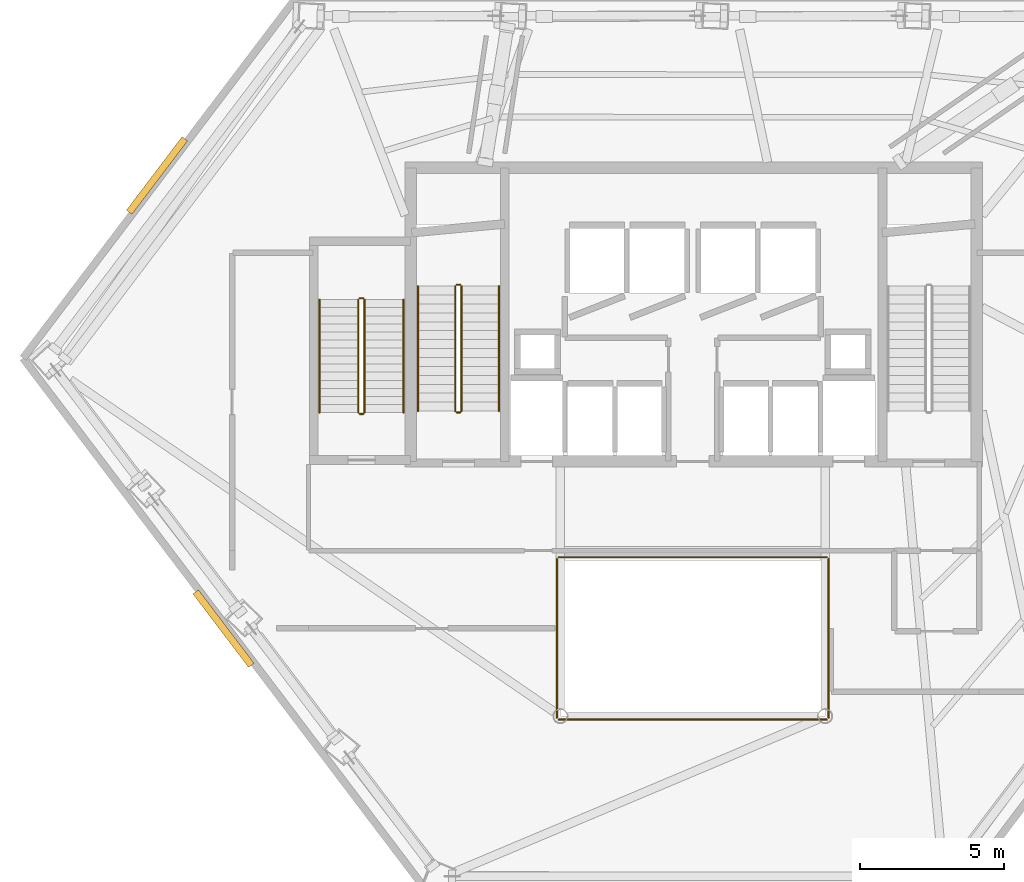
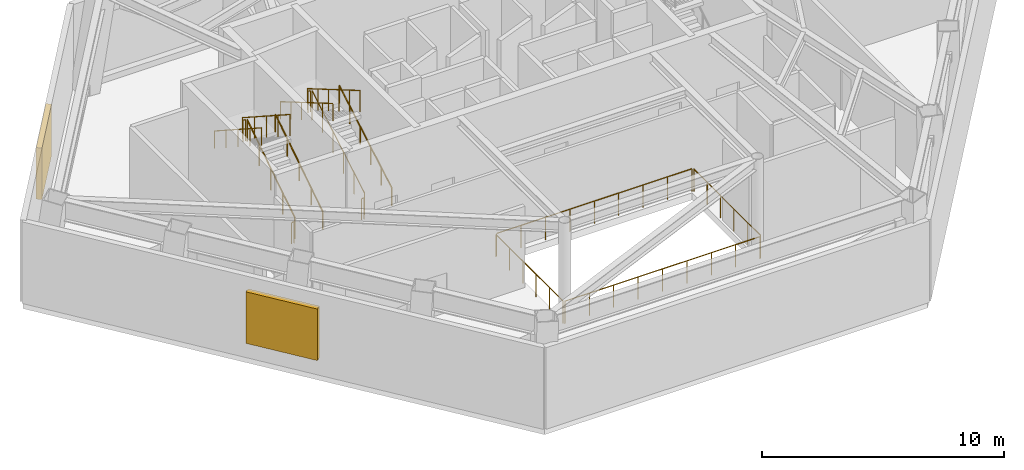
# One storey, part 8 of 9: 16 railings, 2 shading devices.
"""IFC4 building model written with IfcOpenShell, lengths in metres."""

import ifcopenshell
import ifcopenshell.guid

model = None  # the IFC model being written
_history = None  # IfcOwnerHistory: only IFC2X3 demands one
_inside = {}  # id of a spatial element -> (the spatial element, [elements in it])
_under = {}  # id of a project, library or spatial element -> (it, [spatial elements below it])
_declared = {}  # id of a project -> (the project, [libraries it declares])
_typed = {}  # id of a type object -> (the type object, [elements of that type])
_made_of = {}  # id of a material, layer set ... -> (it, [elements and type objects made of it])


def new_model(schema):
    """Start an empty IFC model of exactly this schema.

    Asked for "IFC4X3", IfcOpenShell would pick the latest addendum, in which some entities
    have other attributes; the version numbers below select the first issue.
    IFC2X3 requires an IfcOwnerHistory on every rooted entity: one is made here for all.
    """
    global model, _history
    if schema == "IFC4X3":
        model = ifcopenshell.file(schema_version=(4, 3, 0, 0))
    else:
        model = ifcopenshell.file(schema=schema)
    _inside.clear()
    _under.clear()
    _declared.clear()
    _typed.clear()
    _made_of.clear()
    _history = None
    if model.schema == "IFC2X3":
        org = make("IfcOrganization", Name="unknown")
        user = make(
            "IfcPersonAndOrganization",
            ThePerson=make("IfcPerson", FamilyName="unknown"),
            TheOrganization=org,
        )
        app = make(
            "IfcApplication",
            ApplicationDeveloper=org,
            Version="unknown",
            ApplicationFullName="unknown",
            ApplicationIdentifier="unknown",
        )
        _history = make(
            "IfcOwnerHistory",
            OwningUser=user,
            OwningApplication=app,
            ChangeAction="ADDED",
            CreationDate=0,
        )
    return model


def make(cls, **values):
    """One entity of the class cls with the attributes given. An attribute that is None is left unset."""
    return model.create_entity(
        cls, **{name: value for name, value in values.items() if value is not None}
    )


def rooted(cls, **values):
    """An entity with a GlobalId (a new one), such as an element, a storey or a relation."""
    return make(cls, GlobalId=ifcopenshell.guid.new(), OwnerHistory=_history, **values)


def si_unit(unit_type, name, prefix=None):
    """IfcSIUnit, for example si_unit("LENGTHUNIT", "METRE", prefix="MILLI")."""
    return make("IfcSIUnit", UnitType=unit_type, Prefix=prefix, Name=name)


def assignment(units):
    """IfcUnitAssignment: the units of a project."""
    return None if units is None else make("IfcUnitAssignment", Units=units)


def point(xyz):
    """IfcCartesianPoint."""
    return None if xyz is None else make("IfcCartesianPoint", Coordinates=xyz)


def direction(xyz):
    """IfcDirection."""
    return None if xyz is None else make("IfcDirection", DirectionRatios=xyz)


def frame(location, z_axis=None, x_axis=None):
    """IfcAxis2Placement3D, a coordinate frame: its origin and axes. An axis left out is left unset."""
    return make(
        "IfcAxis2Placement3D",
        Location=point(location),
        Axis=direction(z_axis),
        RefDirection=direction(x_axis),
    )


def frame_2d(location, x_axis=None):
    """IfcAxis2Placement2D, a coordinate frame in the plane: its origin and x axis."""
    return make(
        "IfcAxis2Placement2D", Location=point(location), RefDirection=direction(x_axis)
    )


def origin():
    """The frame at (0, 0, 0) with its axes left unset."""
    return frame((0.0, 0.0, 0.0))


def origin_2d():
    """The frame at (0, 0) in the plane with its x axis left unset."""
    return frame_2d((0.0, 0.0))


def place(relative_to, where):
    """IfcLocalPlacement: puts the frame where relative to a parent placement (None: the world)."""
    return make(
        "IfcLocalPlacement", PlacementRelTo=relative_to, RelativePlacement=where
    )


def context(
    kind, dimensions, precision=None, world=None, true_north=None, identifier=None
):
    """IfcGeometricRepresentationContext, for example the 3D "Model" context."""
    return make(
        "IfcGeometricRepresentationContext",
        ContextIdentifier=identifier,
        ContextType=kind,
        CoordinateSpaceDimension=dimensions,
        Precision=precision,
        WorldCoordinateSystem=world,
        TrueNorth=true_north,
    )


def subcontext(parent, identifier, kind, view, scale=None):
    """IfcGeometricRepresentationSubContext, for example "Body" below "Model"."""
    return make(
        "IfcGeometricRepresentationSubContext",
        ContextIdentifier=identifier,
        ContextType=kind,
        ParentContext=parent,
        TargetScale=scale,
        TargetView=view,
    )


def project(units=None, contexts=None):
    """IfcProject with its units and contexts."""
    return rooted(
        "IfcProject",
        Name="project",
        RepresentationContexts=contexts,
        UnitsInContext=assignment(units),
    )


def spatial(cls, under=None, at=None, **own):
    """A site, building, storey or space (cls), placed at a placement, below another one or the project."""
    s = rooted(cls, ObjectPlacement=at, **own)
    if under is not None:
        _under.setdefault(under.id(), (under, []))[1].append(s)
    return s


def profile(cls, at=None, kind="AREA", **sizes):
    """A parametric profile (cls). Its sizes go by their IFC names, for example OverallWidth=200.0."""
    return make(cls, ProfileType=kind, Position=at, **sizes)


def rectangle(**sizes):
    """IfcRectangleProfileDef."""
    return profile("IfcRectangleProfileDef", **sizes)


def circle(**sizes):
    """IfcCircleProfileDef."""
    return profile("IfcCircleProfileDef", **sizes)


def extrude(swept, where, along, depth):
    """IfcExtrudedAreaSolid: the profile swept, set in the frame where, extruded along a direction by depth."""
    return make(
        "IfcExtrudedAreaSolid",
        SweptArea=swept,
        Position=where,
        ExtrudedDirection=direction(along),
        Depth=depth,
    )


def shape(context_of_items, identifier, shape_type, items):
    """IfcShapeRepresentation: the items that make up one representation, for example the "Body"."""
    return make(
        "IfcShapeRepresentation",
        ContextOfItems=context_of_items,
        RepresentationIdentifier=identifier,
        RepresentationType=shape_type,
        Items=items,
    )


def material(Name=None, Category=None):
    """IfcMaterial."""
    return make("IfcMaterial", Name=Name, Category=Category)


def made_of(thing, what):
    """Note that an element or type object is made of a material, layer set ...; save() writes the relation."""
    if what is not None:
        _made_of.setdefault(what.id(), (what, []))[1].append(thing)
    return thing


def type_object(cls, material=None, **own):
    """A type object (cls), such as IfcWallType, which elements share."""
    return made_of(rooted(cls, **own), material)


def element(
    cls,
    number,
    at=None,
    inside=None,
    cuts=None,
    type_object=None,
    material=None,
    context=None,
    identifier="Body",
    shape_type=None,
    held_by="IfcProductDefinitionShape",
    body=None,
    shapes=None,
    **own,
):
    """One element of the class cls, such as IfcWall. Its Tag is "e" and its number.

    at: its placement. inside: the storey or other place that contains it. cuts: it is an
    opening in that element (IfcRelVoidsElement). A single representation is given by context,
    identifier, shape_type and body (its items); several are given by shapes. held_by: the class
    of the entity that holds the representations. save() writes the other relations.
    """
    e = rooted(cls, Tag="e%d" % number, ObjectPlacement=at, **own)
    if body is not None:
        shapes = [shape(context, identifier, shape_type, body)]
    if shapes is not None:
        e.Representation = make(held_by, Representations=shapes)
    if inside is not None:
        _inside.setdefault(inside.id(), (inside, []))[1].append(e)
    if cuts is not None:
        rooted(
            "IfcRelVoidsElement", RelatingBuildingElement=cuts, RelatedOpeningElement=e
        )
    if type_object is not None:
        _typed.setdefault(type_object.id(), (type_object, []))[1].append(e)
    return made_of(e, material)


def aggregate(whole, parts):
    """IfcRelAggregates: a whole, such as a stair, and the parts it consists of."""
    return rooted("IfcRelAggregates", RelatingObject=whole, RelatedObjects=parts)


def save(model, path):
    """Write the relations noted so far, then the file.

    IfcRelAggregates (storeys below a building ...), IfcRelContainedInSpatialStructure (elements
    in a storey), IfcRelDefinesByType, IfcRelAssociatesMaterial and IfcRelDeclares: one each for
    every whole, place, type object, material and project.
    """
    for whole, parts in _under.values():
        aggregate(whole, parts)
    for where, things in _inside.values():
        rooted(
            "IfcRelContainedInSpatialStructure",
            RelatedElements=things,
            RelatingStructure=where,
        )
    for kind, things in _typed.values():
        rooted("IfcRelDefinesByType", RelatedObjects=things, RelatingType=kind)
    for what, things in _made_of.values():
        rooted("IfcRelAssociatesMaterial", RelatedObjects=things, RelatingMaterial=what)
    for by, libraries in _declared.values():
        rooted("IfcRelDeclares", RelatingContext=by, RelatedDefinitions=libraries)
    model.write(path)


model = new_model("IFC4")

# Units and contexts
model_context = context("Model", 3, precision=1e-05, world=origin(), true_north=direction((0.0, 1.0)))
body_context = subcontext(model_context, "Body", "Model", "MODEL_VIEW")
ifc_project = project(units=[si_unit("LENGTHUNIT", "METRE"), si_unit("AREAUNIT", "SQUARE_METRE"), si_unit("VOLUMEUNIT", "CUBIC_METRE"), si_unit("PLANEANGLEUNIT", "RADIAN"), si_unit("MASSUNIT", "GRAM", prefix="KILO")], contexts=[model_context])

# Site, building, storey
site_placement = place(None, origin())
site = spatial("IfcSite", under=ifc_project, at=site_placement, CompositionType="ELEMENT")
building_placement = place(site_placement, origin())
building = spatial("IfcBuilding", under=site, at=building_placement, Name="Zarrinselat Tower", CompositionType="ELEMENT")
storey_placement = place(building_placement, frame((0.0, 0.0, 109.139892578125)))
storey = spatial("IfcBuildingStorey", under=building, at=storey_placement, Name="L26", CompositionType="ELEMENT", Elevation=109.139892578125)

# Railings
ifc_material_1 = material(Name="Double Low-E Laminated Solar Glass", Category="glass")
railing_type_1 = type_object("IfcRailingType", Name="RLG-ATRIUM-BAL", PredefinedType="BALUSTRADE", material=ifc_material_1)
railing_1_placement = place(storey_placement, frame((33.739990234375, 24.280029296875, 0.0)))
element("IfcRailing", 1, at=railing_1_placement, inside=storey, type_object=railing_type_1, Name="L26 Atrium Void Glass Balustrade S", PredefinedType="BALUSTRADE", context=body_context, shape_type="SweptSolid", body=[
    extrude(circle(Radius=0.02392578125, at=origin_2d()), frame((0.0, 0.0, 1.1259765625), z_axis=(1.0, 0.0, 0.0), x_axis=(0.0, 1.0, 0.0)), (0.0, 0.0, 1.0), 9.320068359375),
    extrude(circle(Radius=0.02099609375, at=origin_2d()), origin(), (0.0, 0.0, 1.0), 1.099853515625),
    extrude(circle(Radius=0.02099609375, at=origin_2d()), frame((1.1650390625, 0.0, 0.0)), (0.0, 0.0, 1.0), 1.099853515625),
    extrude(circle(Radius=0.02099609375, at=origin_2d()), frame((2.330078125, 0.0, 0.0)), (0.0, 0.0, 1.0), 1.099853515625),
    extrude(circle(Radius=0.02099609375, at=origin_2d()), frame((3.4951171875, 0.0, 0.0)), (0.0, 0.0, 1.0), 1.099853515625),
    extrude(circle(Radius=0.02099609375, at=origin_2d()), frame((4.66015625, 0.0, 0.0)), (0.0, 0.0, 1.0), 1.099853515625),
    extrude(circle(Radius=0.02099609375, at=origin_2d()), frame((5.824951171875, 0.0, 0.0)), (0.0, 0.0, 1.0), 1.099853515625),
    extrude(circle(Radius=0.02099609375, at=origin_2d()), frame((6.989990234375, 0.0, 0.0)), (0.0, 0.0, 1.0), 1.099853515625),
    extrude(circle(Radius=0.02099609375, at=origin_2d()), frame((8.155029296875, 0.0, 0.0)), (0.0, 0.0, 1.0), 1.099853515625),
    extrude(circle(Radius=0.02099609375, at=origin_2d()), frame((9.320068359375, 0.0, 0.0)), (0.0, 0.0, 1.0), 1.099853515625),
])
railing_2_placement = place(storey_placement, frame((43.1201171875, 24.340087890625, 0.0)))
element("IfcRailing", 2, at=railing_2_placement, inside=storey, type_object=railing_type_1, Name="L26 Atrium Void Glass Balustrade E", PredefinedType="BALUSTRADE", context=body_context, shape_type="SweptSolid", body=[
    extrude(circle(Radius=0.02392578125, at=origin_2d()), frame((0.0, 0.0, 1.1259765625), z_axis=(0.0, 1.0, 0.0), x_axis=(-1.0, 0.0, 0.0)), (0.0, 0.0, 1.0), 5.52001953125),
    extrude(circle(Radius=0.02099609375, at=origin_2d()), origin(), (0.0, 0.0, 1.0), 1.099853515625),
    extrude(circle(Radius=0.02099609375, at=origin_2d()), frame((0.0, 1.10400390625, 0.0)), (0.0, 0.0, 1.0), 1.099853515625),
    extrude(circle(Radius=0.02099609375, at=origin_2d()), frame((0.0, 2.2080078125, 0.0)), (0.0, 0.0, 1.0), 1.099853515625),
    extrude(circle(Radius=0.02099609375, at=origin_2d()), frame((0.0, 3.31201171875, 0.0)), (0.0, 0.0, 1.0), 1.099853515625),
    extrude(circle(Radius=0.02099609375, at=origin_2d()), frame((0.0, 4.416015625, 0.0)), (0.0, 0.0, 1.0), 1.099853515625),
    extrude(circle(Radius=0.02099609375, at=origin_2d()), frame((0.0, 5.52001953125, 0.0)), (0.0, 0.0, 1.0), 1.099853515625),
])
railing_3_placement = place(storey_placement, frame((43.06005859375, 29.919921875, 0.0)))
element("IfcRailing", 3, at=railing_3_placement, inside=storey, type_object=railing_type_1, Name="L26 Atrium Void Glass Balustrade N", PredefinedType="BALUSTRADE", context=body_context, shape_type="SweptSolid", body=[
    extrude(circle(Radius=0.02392578125, at=origin_2d()), frame((0.0, 0.0, 1.1259765625), z_axis=(-1.0, 0.0, 0.0), x_axis=(0.0, -1.0, 0.0)), (0.0, 0.0, 1.0), 9.320068359375),
    extrude(circle(Radius=0.02099609375, at=origin_2d()), origin(), (0.0, 0.0, 1.0), 1.099853515625),
    extrude(circle(Radius=0.02099609375, at=origin_2d()), frame((-1.1650390625, 0.0, 0.0)), (0.0, 0.0, 1.0), 1.099853515625),
    extrude(circle(Radius=0.02099609375, at=origin_2d()), frame((-2.330078125, 0.0, 0.0)), (0.0, 0.0, 1.0), 1.099853515625),
    extrude(circle(Radius=0.02099609375, at=origin_2d()), frame((-3.4951171875, 0.0, 0.0)), (0.0, 0.0, 1.0), 1.099853515625),
    extrude(circle(Radius=0.02099609375, at=origin_2d()), frame((-4.66015625, 0.0, 0.0)), (0.0, 0.0, 1.0), 1.099853515625),
    extrude(circle(Radius=0.02099609375, at=origin_2d()), frame((-5.824951171875, 0.0, 0.0)), (0.0, 0.0, 1.0), 1.099853515625),
    extrude(circle(Radius=0.02099609375, at=origin_2d()), frame((-6.989990234375, 0.0, 0.0)), (0.0, 0.0, 1.0), 1.099853515625),
    extrude(circle(Radius=0.02099609375, at=origin_2d()), frame((-8.155029296875, 0.0, 0.0)), (0.0, 0.0, 1.0), 1.099853515625),
    extrude(circle(Radius=0.02099609375, at=origin_2d()), frame((-9.320068359375, 0.0, 0.0)), (0.0, 0.0, 1.0), 1.099853515625),
])
railing_4_placement = place(storey_placement, frame((33.679931640625, 29.860107421875, 0.0)))
element("IfcRailing", 4, at=railing_4_placement, inside=storey, type_object=railing_type_1, Name="L26 Atrium Void Glass Balustrade W", PredefinedType="BALUSTRADE", context=body_context, shape_type="SweptSolid", body=[
    extrude(circle(Radius=0.02392578125, at=origin_2d()), frame((0.0, 0.0, 1.1259765625), z_axis=(0.0, -1.0, 0.0), x_axis=(1.0, 0.0, 0.0)), (0.0, 0.0, 1.0), 5.52001953125),
    extrude(circle(Radius=0.02099609375, at=origin_2d()), origin(), (0.0, 0.0, 1.0), 1.099853515625),
    extrude(circle(Radius=0.02099609375, at=origin_2d()), frame((0.0, -1.10400390625, 0.0)), (0.0, 0.0, 1.0), 1.099853515625),
    extrude(circle(Radius=0.02099609375, at=origin_2d()), frame((0.0, -2.2080078125, 0.0)), (0.0, 0.0, 1.0), 1.099853515625),
    extrude(circle(Radius=0.02099609375, at=origin_2d()), frame((0.0, -3.31201171875, 0.0)), (0.0, 0.0, 1.0), 1.099853515625),
    extrude(circle(Radius=0.02099609375, at=origin_2d()), frame((0.0, -4.416015625, 0.0)), (0.0, 0.0, 1.0), 1.099853515625),
    extrude(circle(Radius=0.02099609375, at=origin_2d()), frame((0.0, -5.52001953125, 0.0)), (0.0, 0.0, 1.0), 1.099853515625),
])
ifc_material_2 = material(Name="Steel S355J2", Category="steel")
railing_type_2 = type_object("IfcRailingType", Name="RLG-STAIR-GUARD", PredefinedType="GUARDRAIL", material=ifc_material_2)
railing_5_placement = place(storey_placement, frame((30.3701171875, 35.0, 0.181396484375)))
element("IfcRailing", 5, at=railing_5_placement, inside=storey, type_object=railing_type_2, Name="L26 ST-1 stair guard 1", PredefinedType="GUARDRAIL", context=body_context, shape_type="SweptSolid", body=[
    extrude(circle(Radius=0.02392578125, at=origin_2d()), frame((0.0, 0.0, 1.076171875), z_axis=(0.0, 0.863163646601, 0.504924270744), x_axis=(-1.0, 0.0, 0.0)), (0.0, 0.0, 1.0), 5.028076171875),
    extrude(circle(Radius=0.02099609375, at=origin_2d()), origin(), (0.0, 0.0, 1.0), 1.050048828125),
    extrude(circle(Radius=0.02099609375, at=origin_2d()), frame((0.0, 0.867919921875, 0.5078125)), (0.0, 0.0, 1.0), 1.050048828125),
    extrude(circle(Radius=0.02099609375, at=origin_2d()), frame((0.0, 1.736083984375, 1.015625)), (0.0, 0.0, 1.0), 1.050048828125),
    extrude(circle(Radius=0.02099609375, at=origin_2d()), frame((0.0, 2.60400390625, 1.523193359375)), (0.0, 0.0, 1.0), 1.050048828125),
    extrude(circle(Radius=0.02099609375, at=origin_2d()), frame((0.0, 3.47216796875, 2.031005859375)), (0.0, 0.0, 1.0), 1.050048828125),
    extrude(circle(Radius=0.02099609375, at=origin_2d()), frame((0.0, 4.340087890625, 2.538818359375)), (0.0, 0.0, 1.0), 1.050048828125),
])
railing_6_placement = place(storey_placement, frame((30.320068359375, 39.389892578125, 2.72021484375)))
element("IfcRailing", 6, at=railing_6_placement, inside=storey, type_object=railing_type_2, Name="L26 ST-1 stair guard 2", PredefinedType="GUARDRAIL", context=body_context, shape_type="SweptSolid", body=[
    extrude(circle(Radius=0.02392578125, at=origin_2d()), frame((0.0, 0.0, 1.076171875), z_axis=(-1.0, 0.0, 0.0), x_axis=(0.0, -1.0, 0.0)), (0.0, 0.0, 1.0), 0.1201171875),
    extrude(circle(Radius=0.02099609375, at=origin_2d()), origin(), (0.0, 0.0, 1.0), 1.050048828125),
    extrude(circle(Radius=0.02099609375, at=origin_2d()), frame((-0.1201171875, 0.0, 0.0)), (0.0, 0.0, 1.0), 1.050048828125),
])
railing_7_placement = place(storey_placement, frame((30.14990234375, 39.340087890625, 2.9013671875)))
element("IfcRailing", 7, at=railing_7_placement, inside=storey, type_object=railing_type_2, Name="L26 ST-1 stair guard 3", PredefinedType="GUARDRAIL", context=body_context, shape_type="SweptSolid", body=[
    extrude(circle(Radius=0.02392578125, at=origin_2d()), frame((0.0, 0.0, 1.076171875), z_axis=(0.0, -0.863163646601, 0.504924270744), x_axis=(1.0, 0.0, 0.0)), (0.0, 0.0, 1.0), 5.028076171875),
    extrude(circle(Radius=0.02099609375, at=origin_2d()), origin(), (0.0, 0.0, 1.0), 1.050048828125),
    extrude(circle(Radius=0.02099609375, at=origin_2d()), frame((0.0, -0.867919921875, 0.5078125)), (0.0, 0.0, 1.0), 1.050048828125),
    extrude(circle(Radius=0.02099609375, at=origin_2d()), frame((0.0, -1.736083984375, 1.015625)), (0.0, 0.0, 1.0), 1.050048828125),
    extrude(circle(Radius=0.02099609375, at=origin_2d()), frame((0.0, -2.60400390625, 1.523193359375)), (0.0, 0.0, 1.0), 1.050048828125),
    extrude(circle(Radius=0.02099609375, at=origin_2d()), frame((0.0, -3.47216796875, 2.031005859375)), (0.0, 0.0, 1.0), 1.050048828125),
    extrude(circle(Radius=0.02099609375, at=origin_2d()), frame((0.0, -4.340087890625, 2.538818359375)), (0.0, 0.0, 1.0), 1.050048828125),
])
railing_8_placement = place(storey_placement, frame((30.320068359375, 34.949951171875, 0.0)))
element("IfcRailing", 8, at=railing_8_placement, inside=storey, type_object=railing_type_2, Name="L26 ST-1 stair guard 4", PredefinedType="GUARDRAIL", context=body_context, shape_type="SweptSolid", body=[
    extrude(circle(Radius=0.02392578125, at=origin_2d()), frame((0.0, 0.0, 1.076171875), z_axis=(-1.0, 0.0, 0.0), x_axis=(0.0, -1.0, 0.0)), (0.0, 0.0, 1.0), 0.1201171875),
    extrude(circle(Radius=0.02099609375, at=origin_2d()), origin(), (0.0, 0.0, 1.0), 1.050048828125),
    extrude(circle(Radius=0.02099609375, at=origin_2d()), frame((-0.1201171875, 0.0, 0.0)), (0.0, 0.0, 1.0), 1.050048828125),
])
railing_9_placement = place(storey_placement, frame((27.0, 34.949951171875, 0.181396484375)))
element("IfcRailing", 9, at=railing_9_placement, inside=storey, type_object=railing_type_2, Name="L26 ST-3 stair guard 1", PredefinedType="GUARDRAIL", context=body_context, shape_type="SweptSolid", body=[
    extrude(circle(Radius=0.02392578125, at=origin_2d()), frame((0.0, 0.0, 1.076171875), z_axis=(0.0, 0.839351306462, 0.543589352675), x_axis=(-1.0, 0.0, 0.0)), (0.0, 0.0, 1.0), 4.67041015625),
    extrude(circle(Radius=0.02099609375, at=origin_2d()), origin(), (0.0, 0.0, 1.0), 1.050048828125),
    extrude(circle(Radius=0.02099609375, at=origin_2d()), frame((0.0, 0.97998046875, 0.634765625)), (0.0, 0.0, 1.0), 1.050048828125),
    extrude(circle(Radius=0.02099609375, at=origin_2d()), frame((0.0, 1.9599609375, 1.26953125)), (0.0, 0.0, 1.0), 1.050048828125),
    extrude(circle(Radius=0.02099609375, at=origin_2d()), frame((0.0, 2.940185546875, 1.904052734375)), (0.0, 0.0, 1.0), 1.050048828125),
    extrude(circle(Radius=0.02099609375, at=origin_2d()), frame((0.0, 3.920166015625, 2.538818359375)), (0.0, 0.0, 1.0), 1.050048828125),
])
railing_10_placement = place(storey_placement, frame((26.949951171875, 38.919921875, 2.72021484375)))
element("IfcRailing", 10, at=railing_10_placement, inside=storey, type_object=railing_type_2, Name="L26 ST-3 stair guard 2", PredefinedType="GUARDRAIL", context=body_context, shape_type="SweptSolid", body=[
    extrude(circle(Radius=0.02392578125, at=origin_2d()), frame((0.0, 0.0, 1.076171875), z_axis=(-1.0, 0.0, 0.0), x_axis=(0.0, -1.0, 0.0)), (0.0, 0.0, 1.0), 0.119873046875),
    extrude(circle(Radius=0.02099609375, at=origin_2d()), origin(), (0.0, 0.0, 1.0), 1.050048828125),
    extrude(circle(Radius=0.02099609375, at=origin_2d()), frame((-0.119873046875, 0.0, 0.0)), (0.0, 0.0, 1.0), 1.050048828125),
])
railing_11_placement = place(storey_placement, frame((26.780029296875, 38.8701171875, 2.9013671875)))
element("IfcRailing", 11, at=railing_11_placement, inside=storey, type_object=railing_type_2, Name="L26 ST-3 stair guard 3", PredefinedType="GUARDRAIL", context=body_context, shape_type="SweptSolid", body=[
    extrude(circle(Radius=0.02392578125, at=origin_2d()), frame((0.0, 0.0, 1.076171875), z_axis=(0.0, -0.839351306462, 0.543589352675), x_axis=(1.0, 0.0, 0.0)), (0.0, 0.0, 1.0), 4.67041015625),
    extrude(circle(Radius=0.02099609375, at=origin_2d()), origin(), (0.0, 0.0, 1.0), 1.050048828125),
    extrude(circle(Radius=0.02099609375, at=origin_2d()), frame((0.0, -0.97998046875, 0.634765625)), (0.0, 0.0, 1.0), 1.050048828125),
    extrude(circle(Radius=0.02099609375, at=origin_2d()), frame((0.0, -1.9599609375, 1.26953125)), (0.0, 0.0, 1.0), 1.050048828125),
    extrude(circle(Radius=0.02099609375, at=origin_2d()), frame((0.0, -2.940185546875, 1.904052734375)), (0.0, 0.0, 1.0), 1.050048828125),
    extrude(circle(Radius=0.02099609375, at=origin_2d()), frame((0.0, -3.920166015625, 2.538818359375)), (0.0, 0.0, 1.0), 1.050048828125),
])
railing_12_placement = place(storey_placement, frame((26.949951171875, 34.89990234375, 0.0)))
element("IfcRailing", 12, at=railing_12_placement, inside=storey, type_object=railing_type_2, Name="L26 ST-3 stair guard 4", PredefinedType="GUARDRAIL", context=body_context, shape_type="SweptSolid", body=[
    extrude(circle(Radius=0.02392578125, at=origin_2d()), frame((0.0, 0.0, 1.076171875), z_axis=(-1.0, 0.0, 0.0), x_axis=(0.0, -1.0, 0.0)), (0.0, 0.0, 1.0), 0.119873046875),
    extrude(circle(Radius=0.02099609375, at=origin_2d()), origin(), (0.0, 0.0, 1.0), 1.050048828125),
    extrude(circle(Radius=0.02099609375, at=origin_2d()), frame((-0.119873046875, 0.0, 0.0)), (0.0, 0.0, 1.0), 1.050048828125),
])
ifc_material_3 = material(Name="Steel S355J2", Category="steel")
railing_type_3 = type_object("IfcRailingType", Name="RLG-STAIR-HAND", PredefinedType="HANDRAIL", material=ifc_material_3)
railing_13_placement = place(storey_placement, frame((31.669921875, 35.0, 0.181396484375)))
element("IfcRailing", 13, at=railing_13_placement, inside=storey, type_object=railing_type_3, Name="L26 ST-1 stair handrail 1", PredefinedType="HANDRAIL", context=body_context, shape_type="SweptSolid", body=[
    extrude(circle(Radius=0.02392578125, at=origin_2d()), frame((0.0, 0.0, 0.8759765625), z_axis=(0.0, 0.863163646601, 0.504924270744), x_axis=(-1.0, 0.0, 0.0)), (0.0, 0.0, 1.0), 5.028076171875),
    extrude(circle(Radius=0.02099609375, at=origin_2d()), origin(), (0.0, 0.0, 1.0), 0.849853515625),
    extrude(circle(Radius=0.02099609375, at=origin_2d()), frame((0.0, 0.867919921875, 0.5078125)), (0.0, 0.0, 1.0), 0.849853515625),
    extrude(circle(Radius=0.02099609375, at=origin_2d()), frame((0.0, 1.736083984375, 1.015625)), (0.0, 0.0, 1.0), 0.849853515625),
    extrude(circle(Radius=0.02099609375, at=origin_2d()), frame((0.0, 2.60400390625, 1.523193359375)), (0.0, 0.0, 1.0), 0.849853515625),
    extrude(circle(Radius=0.02099609375, at=origin_2d()), frame((0.0, 3.47216796875, 2.031005859375)), (0.0, 0.0, 1.0), 0.849853515625),
    extrude(circle(Radius=0.02099609375, at=origin_2d()), frame((0.0, 4.340087890625, 2.538818359375)), (0.0, 0.0, 1.0), 0.849853515625),
])
railing_14_placement = place(storey_placement, frame((28.85009765625, 39.340087890625, 2.9013671875)))
element("IfcRailing", 14, at=railing_14_placement, inside=storey, type_object=railing_type_3, Name="L26 ST-1 stair handrail 2", PredefinedType="HANDRAIL", context=body_context, shape_type="SweptSolid", body=[
    extrude(circle(Radius=0.02392578125, at=origin_2d()), frame((0.0, 0.0, 0.8759765625), z_axis=(0.0, -0.863163646601, 0.504924270744), x_axis=(1.0, 0.0, 0.0)), (0.0, 0.0, 1.0), 5.028076171875),
    extrude(circle(Radius=0.02099609375, at=origin_2d()), origin(), (0.0, 0.0, 1.0), 0.849853515625),
    extrude(circle(Radius=0.02099609375, at=origin_2d()), frame((0.0, -0.867919921875, 0.5078125)), (0.0, 0.0, 1.0), 0.849853515625),
    extrude(circle(Radius=0.02099609375, at=origin_2d()), frame((0.0, -1.736083984375, 1.015625)), (0.0, 0.0, 1.0), 0.849853515625),
    extrude(circle(Radius=0.02099609375, at=origin_2d()), frame((0.0, -2.60400390625, 1.523193359375)), (0.0, 0.0, 1.0), 0.849853515625),
    extrude(circle(Radius=0.02099609375, at=origin_2d()), frame((0.0, -3.47216796875, 2.031005859375)), (0.0, 0.0, 1.0), 0.849853515625),
    extrude(circle(Radius=0.02099609375, at=origin_2d()), frame((0.0, -4.340087890625, 2.538818359375)), (0.0, 0.0, 1.0), 0.849853515625),
])
railing_15_placement = place(storey_placement, frame((28.35009765625, 34.949951171875, 0.181396484375)))
element("IfcRailing", 15, at=railing_15_placement, inside=storey, type_object=railing_type_3, Name="L26 ST-3 stair handrail 1", PredefinedType="HANDRAIL", context=body_context, shape_type="SweptSolid", body=[
    extrude(circle(Radius=0.02392578125, at=origin_2d()), frame((0.0, 0.0, 0.8759765625), z_axis=(0.0, 0.839351306462, 0.543589352675), x_axis=(-1.0, 0.0, 0.0)), (0.0, 0.0, 1.0), 4.67041015625),
    extrude(circle(Radius=0.02099609375, at=origin_2d()), origin(), (0.0, 0.0, 1.0), 0.849853515625),
    extrude(circle(Radius=0.02099609375, at=origin_2d()), frame((0.0, 0.97998046875, 0.634765625)), (0.0, 0.0, 1.0), 0.849853515625),
    extrude(circle(Radius=0.02099609375, at=origin_2d()), frame((0.0, 1.9599609375, 1.26953125)), (0.0, 0.0, 1.0), 0.849853515625),
    extrude(circle(Radius=0.02099609375, at=origin_2d()), frame((0.0, 2.940185546875, 1.904052734375)), (0.0, 0.0, 1.0), 0.849853515625),
    extrude(circle(Radius=0.02099609375, at=origin_2d()), frame((0.0, 3.920166015625, 2.538818359375)), (0.0, 0.0, 1.0), 0.849853515625),
])
railing_16_placement = place(storey_placement, frame((25.429931640625, 38.8701171875, 2.9013671875)))
element("IfcRailing", 16, at=railing_16_placement, inside=storey, type_object=railing_type_3, Name="L26 ST-3 stair handrail 2", PredefinedType="HANDRAIL", context=body_context, shape_type="SweptSolid", body=[
    extrude(circle(Radius=0.02392578125, at=origin_2d()), frame((0.0, 0.0, 0.8759765625), z_axis=(0.0, -0.839351306462, 0.543589352675), x_axis=(1.0, 0.0, 0.0)), (0.0, 0.0, 1.0), 4.67041015625),
    extrude(circle(Radius=0.02099609375, at=origin_2d()), origin(), (0.0, 0.0, 1.0), 0.849853515625),
    extrude(circle(Radius=0.02099609375, at=origin_2d()), frame((0.0, -0.97998046875, 0.634765625)), (0.0, 0.0, 1.0), 0.849853515625),
    extrude(circle(Radius=0.02099609375, at=origin_2d()), frame((0.0, -1.9599609375, 1.26953125)), (0.0, 0.0, 1.0), 0.849853515625),
    extrude(circle(Radius=0.02099609375, at=origin_2d()), frame((0.0, -2.940185546875, 1.904052734375)), (0.0, 0.0, 1.0), 0.849853515625),
    extrude(circle(Radius=0.02099609375, at=origin_2d()), frame((0.0, -3.920166015625, 2.538818359375)), (0.0, 0.0, 1.0), 0.849853515625),
])

# Shading devices
ifc_material_4 = material(Name="Extruded Aluminium Alloy EN AW-6063 T6", Category="aluminium")
shading_device_type = type_object("IfcShadingDeviceType", Name="SHD-PLANT-LOUVRE", PredefinedType="JALOUSIE", material=ifc_material_4)
for number, where, z_axis, x_axis, name in (
    (17, (19.78759765625, 43.18310546875, 0.800048828125), (0.0, 0.0, 1.0), (-0.603858054977, -0.797091870138, 0.0), "L26 Acoustic Plant Intake Louvre 2"),
    (18, (22.09814453125, 27.44287109375, 0.800048828125), (0.0, 0.0, 1.0), (0.603858346472, -0.797091649308, 0.0), "L26 Acoustic Plant Intake Louvre 3"),
):
    element("IfcShadingDevice", number, at=place(storey_placement, frame(where, z_axis=z_axis, x_axis=x_axis)), inside=storey, type_object=shading_device_type, Name=name, PredefinedType="JALOUSIE", context=body_context, shape_type="SweptSolid", body=[
        extrude(rectangle(XDim=3.199951171875, YDim=0.239990234375, at=origin_2d()), origin(), (0.0, 0.0, 1.0), 2.60009765625),
    ])

save(model, "model.ifc")
